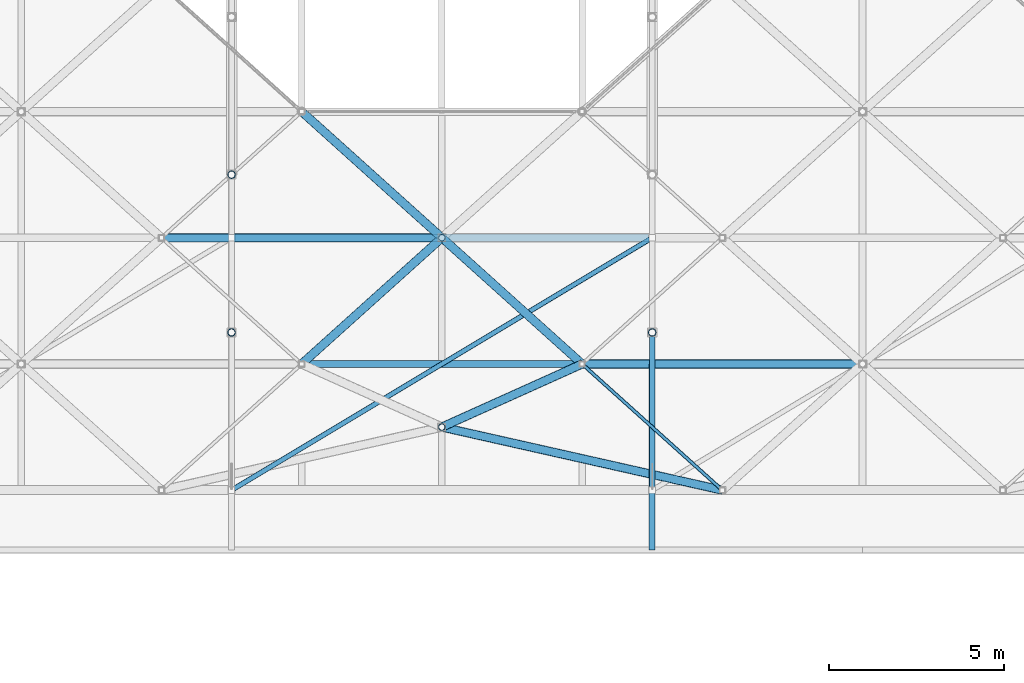
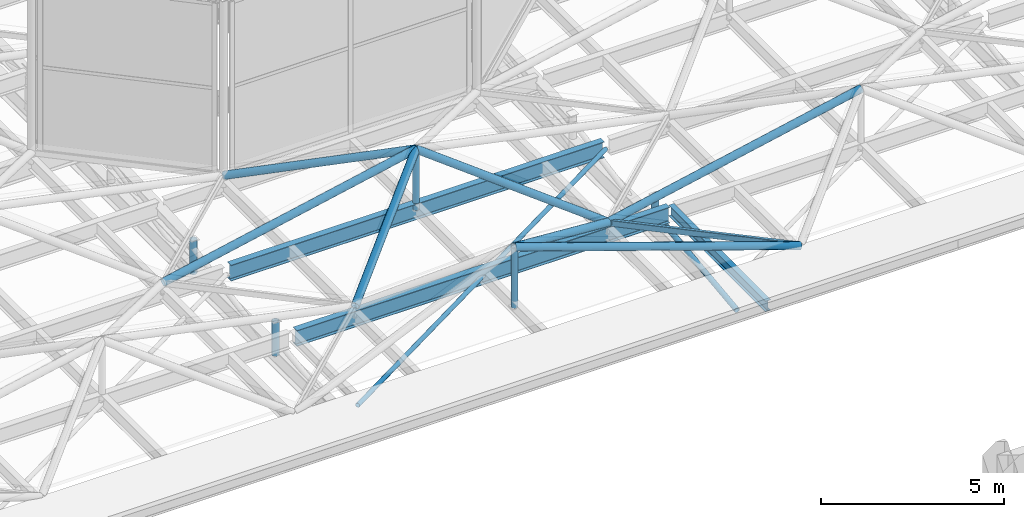
# One storey, part 22 of 239: 14 members, 4 beams.
"""IFC4 building model written with IfcOpenShell, lengths in metres."""

from ifc_helpers import new_model, si_unit, direction, frame, origin, origin_2d, place, context, subcontext, project, spatial, hollow_rectangle, hollow_circle, i_section, extrude, material, material_profile, profile_set, type_object, element, save


model = new_model("IFC4")

# Units and contexts
model_context = context("Model", 3, precision=1e-05, world=origin(), true_north=direction((0.0, 1.0)))
body_context = subcontext(model_context, "Body", "Model", "MODEL_VIEW")
ifc_project = project(units=[si_unit("LENGTHUNIT", "METRE"), si_unit("AREAUNIT", "SQUARE_METRE"), si_unit("VOLUMEUNIT", "CUBIC_METRE"), si_unit("PLANEANGLEUNIT", "RADIAN"), si_unit("MASSUNIT", "GRAM", prefix="KILO")], contexts=[model_context])

# Site, building, storey
site_placement = place(None, origin())
site = spatial("IfcSite", under=ifc_project, at=site_placement, CompositionType="ELEMENT")
building_placement = place(site_placement, origin())
building = spatial("IfcBuilding", under=site, at=building_placement, Name="Dunvalen Ferry Terminal", CompositionType="ELEMENT")
storey_placement = place(building_placement, frame((0.0, 0.0, 9.840087890625)))
storey = spatial("IfcBuildingStorey", under=building, at=storey_placement, Name="L02", CompositionType="ELEMENT", Elevation=9.840087890625)

# Beams
ifc_material = material(Name="Steel S355", Category="steel")
ifc_material_profile_1 = material_profile(ifc_material, i_section(OverallWidth=0.169921875, OverallDepth=0.360107421875, WebThickness=0.008056640625, FlangeThickness=0.0126953125, FilletRadius=0.01806640625, at=origin_2d()), Name="Steel S355")
ifc_profile_set_1 = profile_set([ifc_material_profile_1], Name="Steel S355")
beam_type_1 = type_object("IfcBeamType", Name="STR-BM-IPE360", PredefinedType="BEAM", material=ifc_profile_set_1)
beam_1_placement = place(storey_placement, frame((60.0, 54.0, 0.81982421875), z_axis=(0.0, -1.0, 0.0), x_axis=(1.0, 0.0, 0.0)))
element("IfcBeam", 1, at=beam_1_placement, inside=storey, type_object=beam_type_1, Name="Departure Hall South Eave Outrigger 09", PredefinedType="BEAM", context=body_context, shape_type="SweptSolid", body=[
    extrude(i_section(OverallWidth=0.169921875, OverallDepth=0.360107421875, WebThickness=0.008056640625, FlangeThickness=0.0126953125, FilletRadius=0.01806640625, at=origin_2d()), origin(), (0.0, 0.0, 1.0), 5.300048828125),
])
ifc_material_profile_2 = material_profile(ifc_material, hollow_rectangle(XDim=0.10009765625, YDim=0.199951171875, WallThickness=0.008056640625, InnerFilletRadius=0.008056640625, OuterFilletRadius=0.01611328125, at=origin_2d()), Name="Steel S355")
ifc_profile_set_2 = profile_set([ifc_material_profile_2], Name="Steel S355")
beam_type_2 = type_object("IfcBeamType", Name="STR-BM-RHS200", PredefinedType="BEAM", material=ifc_profile_set_2)
beam_2_placement = place(storey_placement, frame((62.0, 50.39990234375, 1.099853515625), z_axis=(-0.743285123004, 0.668974757313, 0.0), x_axis=(-0.668974757313, -0.743285123004, 0.0)))
element("IfcBeam", 2, at=beam_2_placement, inside=storey, type_object=beam_type_2, Name="HEX-23 Hexagonal Rim Beam 2", PredefinedType="BEAM", context=body_context, shape_type="SweptSolid", body=[
    extrude(hollow_rectangle(XDim=0.10009765625, YDim=0.199951171875, WallThickness=0.008056640625, InnerFilletRadius=0.008056640625, OuterFilletRadius=0.01611328125, at=origin_2d()), origin(), (0.0, 0.0, 1.0), 5.381591796875),
])
ifc_material_profile_3 = material_profile(ifc_material, i_section(OverallWidth=0.209228515625, OverallDepth=0.533203125, WebThickness=0.010009765625, FlangeThickness=0.015625, FilletRadius=0.0126953125, at=origin_2d()), Name="Steel S355")
ifc_profile_set_3 = profile_set([ifc_material_profile_3], Name="Steel S355")
beam_type_3 = type_object("IfcBeamType", Name="STR-BM-UKB533", PredefinedType="BEAM", material=ifc_profile_set_3)
for number, where, z_axis, x_axis, name in (
    (3, (48.10009765625, 54.0, 0.7333984375), (1.0, 0.0, 0.0), (0.0, 1.0, 0.0), "Departure Hall Spine Girder B4.02"),
    (4, (48.10009765625, 57.60009765625, 0.7333984375), (1.0, 0.0, 0.0), (0.0, 1.0, 0.0), "Departure Hall Spine Girder B4.03"),
):
    element("IfcBeam", number, at=place(storey_placement, frame(where, z_axis=z_axis, x_axis=x_axis)), inside=storey, type_object=beam_type_3, Name=name, PredefinedType="BEAM", context=body_context, shape_type="SweptSolid", body=[
        extrude(i_section(OverallWidth=0.209228515625, OverallDepth=0.533203125, WebThickness=0.010009765625, FlangeThickness=0.015625, FilletRadius=0.0126953125, at=origin_2d()), origin(), (0.0, 0.0, 1.0), 11.7998046875),
    ])

# Members
ifc_material_profile_4 = material_profile(ifc_material, hollow_circle(Radius=0.06982421875, WallThickness=0.00634765625, at=origin_2d()), Name="Steel S355")
ifc_profile_set_4 = profile_set([ifc_material_profile_4], Name="Steel S355")
member_type_1 = type_object("IfcMemberType", Name="STR-MB-CHS139", PredefinedType="BRACE", material=ifc_profile_set_4)
member_1_placement = place(storey_placement, frame((48.0, 50.39990234375, 0.659912109375), z_axis=(0.857486768376, 0.514506017516, 0.0), x_axis=(-0.514506017516, 0.857486768376, 0.0)))
element("IfcMember", 5, at=member_1_placement, inside=storey, type_object=member_type_1, Name="Departure Hall Roof Wind Brace 4A", PredefinedType="BRACE", context=body_context, shape_type="SweptSolid", body=[
    extrude(hollow_circle(Radius=0.06982421875, WallThickness=0.00634765625, at=origin_2d()), origin(), (0.0, 0.0, 1.0), 13.994384765625),
])
ifc_material_profile_5 = material_profile(ifc_material, hollow_circle(Radius=0.084228515625, WallThickness=0.008056640625, at=origin_2d()), Name="Steel S355")
ifc_profile_set_5 = profile_set([ifc_material_profile_5], Name="Steel S355")
member_type_2 = type_object("IfcMemberType", Name="STR-MB-CHS168", PredefinedType="BRACE", material=ifc_profile_set_5)
member_2_placement = place(storey_placement, frame((60.0, 50.39990234375, -0.360107421875), z_axis=(0.0, 0.993166043245, 0.116709941931), x_axis=(-1.0, 0.0, 0.0)))
element("IfcMember", 6, at=member_2_placement, inside=storey, type_object=member_type_2, Name="Departure Hall Arch Web Diagonal 05.1", PredefinedType="BRACE", context=body_context, shape_type="SweptSolid", body=[
    extrude(hollow_circle(Radius=0.084228515625, WallThickness=0.008056640625, at=origin_2d()), origin(), (0.0, 0.0, 1.0), 4.531005859375),
])
ifc_material_profile_6 = material_profile(ifc_material, hollow_circle(Radius=0.096923828125, WallThickness=0.008056640625, at=origin_2d()), Name="Steel S355")
ifc_profile_set_6 = profile_set([ifc_material_profile_6], Name="Steel S355")
member_type_3 = type_object("IfcMemberType", Name="STR-MB-CHS193", PredefinedType="STRUT", material=ifc_profile_set_6)
for number, where, z_axis, x_axis, name in (
    (7, (54.0, 52.199951171875, 0.77001953125), (0.0, 0.0, 1.0), (1.0, 0.0, 0.0), "HEX-23 Pyramid Apex Strut"),
    (8, (54.0, 57.60009765625, 0.77001953125), (0.0, 0.0, 1.0), (1.0, 0.0, 0.0), "HEX-24 Pyramid Apex Strut"),
):
    element("IfcMember", number, at=place(storey_placement, frame(where, z_axis=z_axis, x_axis=x_axis)), inside=storey, type_object=member_type_3, Name=name, PredefinedType="STRUT", context=body_context, shape_type="SweptSolid", body=[
        extrude(hollow_circle(Radius=0.096923828125, WallThickness=0.008056640625, at=origin_2d()), origin(), (0.0, 0.0, 1.0), 1.994873046875),
    ])
ifc_material_profile_7 = material_profile(ifc_material, hollow_circle(Radius=0.109619140625, WallThickness=0.010009765625, at=origin_2d()), Name="Steel S355")
ifc_profile_set_7 = profile_set([ifc_material_profile_7], Name="Steel S355")
member_type_4 = type_object("IfcMemberType", Name="STR-MB-CHS219", PredefinedType="STRUT", material=ifc_profile_set_7)
for number, where, z_axis, x_axis, name in (
    (9, (48.0, 54.89990234375, -0.360107421875), (0.0, 0.0, 1.0), (1.0, 0.0, 0.0), "Departure Hall Arch Spandrel Strut 04.1"),
    (10, (48.0, 59.39990234375, -0.360107421875), (0.0, 0.0, 1.0), (1.0, 0.0, 0.0), "Departure Hall Arch Spandrel Strut 04.2"),
    (11, (60.0, 54.89990234375, -0.360107421875), (0.0, 0.0, 1.0), (1.0, 0.0, 0.0), "Departure Hall Arch Spandrel Strut 05.1"),
):
    element("IfcMember", number, at=place(storey_placement, frame(where, z_axis=z_axis, x_axis=x_axis)), inside=storey, type_object=member_type_4, Name=name, PredefinedType="STRUT", context=body_context, shape_type="SweptSolid", body=[
        extrude(hollow_circle(Radius=0.109619140625, WallThickness=0.010009765625, at=origin_2d()), origin(), (0.0, 0.0, 1.0), 1.130126953125),
    ])
ifc_material_profile_8 = material_profile(ifc_material, hollow_circle(Radius=0.122314453125, WallThickness=0.010009765625, at=origin_2d()), Name="Steel S355")
ifc_profile_set_8 = profile_set([ifc_material_profile_8], Name="Steel S355")
member_type_5 = type_object("IfcMemberType", Name="STR-MB-CHS244", PredefinedType="STRUT", material=ifc_profile_set_8)
member_3_placement = place(storey_placement, frame((62.0, 50.39990234375, 1.099853515625), z_axis=(-0.956097314692, 0.215127731361, 0.198992422064), x_axis=(-0.219517862832, -0.975608480846, 0.0)))
element("IfcMember", 12, at=member_3_placement, inside=storey, type_object=member_type_5, Name="HEX-23 Pyramid Hip Rafter 2", PredefinedType="STRUT", context=body_context, shape_type="SweptSolid", body=[
    extrude(hollow_circle(Radius=0.122314453125, WallThickness=0.010009765625, at=origin_2d()), origin(), (0.0, 0.0, 1.0), 8.367431640625),
])
member_4_placement = place(storey_placement, frame((58.0, 54.0, 1.099853515625), z_axis=(-0.852560097395, -0.383662451056, 0.354886466323), x_axis=(0.410373934525, -0.91191733938, 0.0)))
element("IfcMember", 13, at=member_4_placement, inside=storey, type_object=member_type_5, Name="HEX-23 Pyramid Hip Rafter 3", PredefinedType="STRUT", context=body_context, shape_type="SweptSolid", body=[
    extrude(hollow_circle(Radius=0.122314453125, WallThickness=0.010009765625, at=origin_2d()), origin(), (0.0, 0.0, 1.0), 4.691650390625),
])
member_5_placement = place(storey_placement, frame((46.0, 57.60009765625, 1.099853515625), z_axis=(0.979020171275, 0.0, 0.203763353518), x_axis=(0.0, 1.0, 0.0)))
element("IfcMember", 14, at=member_5_placement, inside=storey, type_object=member_type_5, Name="HEX-24 Pyramid Hip Rafter 1", PredefinedType="STRUT", context=body_context, shape_type="SweptSolid", body=[
    extrude(hollow_circle(Radius=0.122314453125, WallThickness=0.010009765625, at=origin_2d()), origin(), (0.0, 0.0, 1.0), 8.17138671875),
])
for number, where, z_axis, x_axis, name in (
    (15, (50.0, 54.0, 1.099853515625), (0.710074680578, 0.639084548328, 0.295575520114), (-0.668974757313, 0.743285123004, 0.0), "HEX-24 Pyramid Hip Rafter 2"),
    (16, (58.0, 54.0, 1.099853515625), (-0.710074680578, 0.639084548328, 0.295575520114), (-0.668974757313, -0.743285123004, 0.0), "HEX-24 Pyramid Hip Rafter 3"),
):
    element("IfcMember", number, at=place(storey_placement, frame(where, z_axis=z_axis, x_axis=x_axis)), inside=storey, type_object=member_type_5, Name=name, PredefinedType="STRUT", context=body_context, shape_type="SweptSolid", body=[
        extrude(hollow_circle(Radius=0.122314453125, WallThickness=0.010009765625, at=origin_2d()), origin(), (0.0, 0.0, 1.0), 5.63330078125),
    ])
member_6_placement = place(storey_placement, frame((50.0, 61.199951171875, 1.099853515625), z_axis=(0.710094348105, -0.639058908863, 0.295583706914), x_axis=(0.668949692402, 0.74330768127, 0.0)))
element("IfcMember", 17, at=member_6_placement, inside=storey, type_object=member_type_5, Name="HEX-24 Pyramid Hip Rafter 6", PredefinedType="STRUT", context=body_context, shape_type="SweptSolid", body=[
    extrude(hollow_circle(Radius=0.122314453125, WallThickness=0.010009765625, at=origin_2d()), origin(), (0.0, 0.0, 1.0), 5.633056640625),
])
member_7_placement = place(storey_placement, frame((58.0, 54.0, 1.099853515625), z_axis=(0.979020171275, 0.0, 0.203763353518), x_axis=(0.0, 1.0, 0.0)))
element("IfcMember", 18, at=member_7_placement, inside=storey, type_object=member_type_5, Name="HEX-29 Pyramid Hip Rafter 1", PredefinedType="STRUT", context=body_context, shape_type="SweptSolid", body=[
    extrude(hollow_circle(Radius=0.122314453125, WallThickness=0.010009765625, at=origin_2d()), origin(), (0.0, 0.0, 1.0), 8.17138671875),
])

save(model, "model.ifc")
